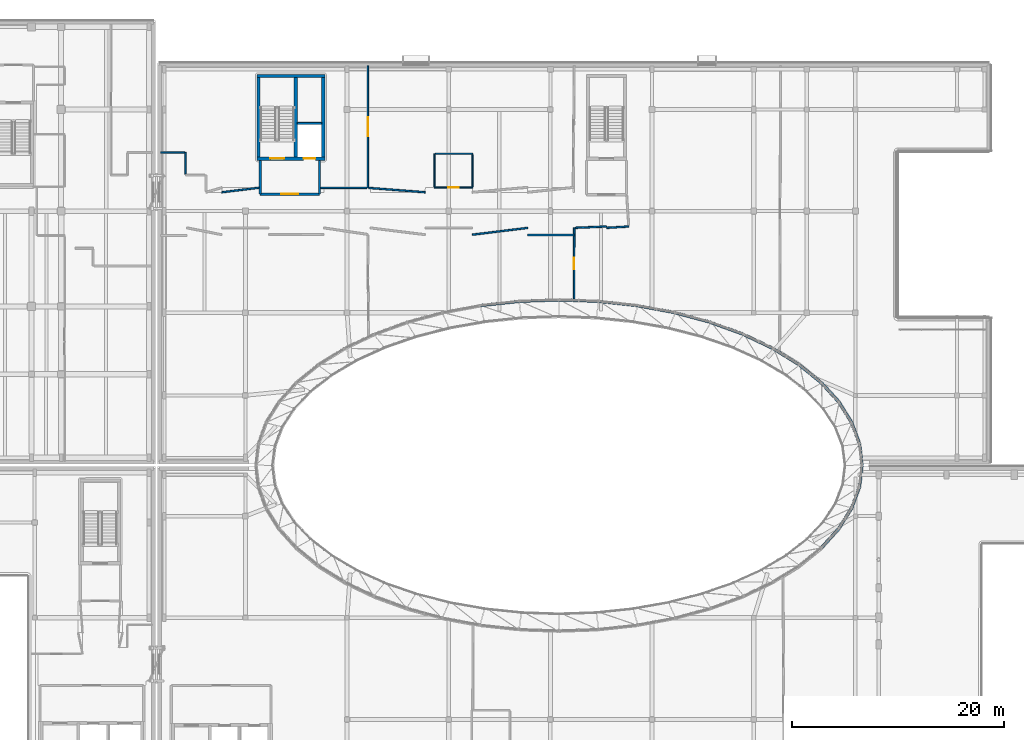
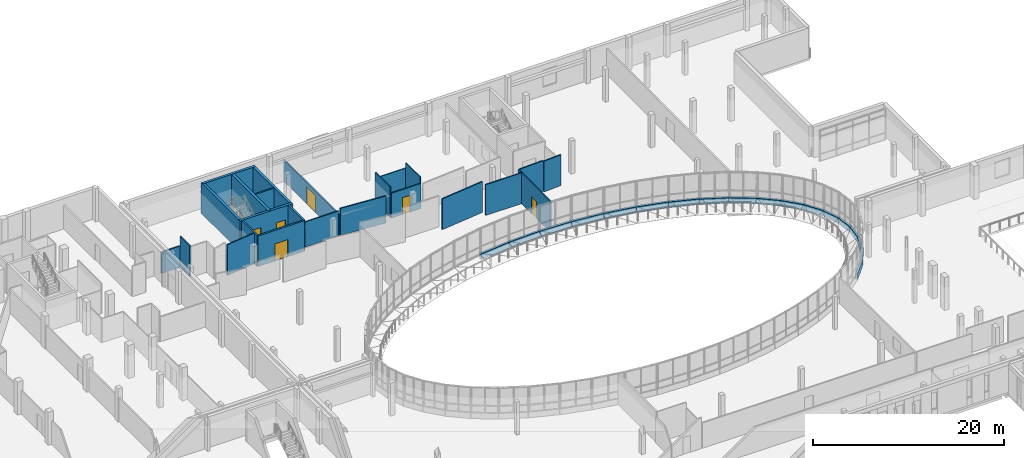
# One storey, part 52 of 84: 42 walls, 6 doors, 6 openings.
"""IFC4 building model written with IfcOpenShell, lengths in metres."""

from ifc_helpers import new_model, si_unit, direction, frame, frame_2d, origin, place, context, subcontext, project, spatial, rectangle, extrude, material, layer, layer_set, type_object, element, fill, save


model = new_model("IFC4")

# Units and contexts
model_context = context("Model", 3, precision=1e-05, world=origin(), true_north=direction((0.0, 1.0)))
body_context = subcontext(model_context, "Body", "Model", "MODEL_VIEW")
ifc_project = project(units=[si_unit("LENGTHUNIT", "METRE"), si_unit("AREAUNIT", "SQUARE_METRE"), si_unit("VOLUMEUNIT", "CUBIC_METRE"), si_unit("PLANEANGLEUNIT", "RADIAN"), si_unit("MASSUNIT", "GRAM", prefix="KILO")], contexts=[model_context])

# Site, building, storey
site_placement = place(None, origin())
site = spatial("IfcSite", under=ifc_project, at=site_placement, CompositionType="ELEMENT")
building_placement = place(site_placement, origin())
building = spatial("IfcBuilding", under=site, at=building_placement, Name="Mzevani Central Library", CompositionType="ELEMENT")
storey_placement = place(building_placement, frame((0.0, 0.0, 5.39990234375)))
storey = spatial("IfcBuildingStorey", under=building, at=storey_placement, Name="L01", CompositionType="ELEMENT", Elevation=5.39990234375)

# Wall
ifc_material_1 = material(Name="Concrete C35/45", Category="concrete")
ifc_layer_1 = layer(ifc_material_1, 0.199951171875, Name="Compartment Wall 200")
ifc_layer_set_1 = layer_set([ifc_layer_1], Name="Concrete C35/45")
wall_type_1 = type_object("IfcWallType", Name="Compartment Wall 200", PredefinedType="STANDARD", material=ifc_layer_set_1)
wall_1_placement = place(storey_placement, frame((55.800048828125, 104.800048828125, 0.0), z_axis=(0.0, 0.0, 1.0), x_axis=(0.0, -1.0, 0.0)))
element("IfcWall", 1, at=wall_1_placement, inside=storey, type_object=wall_type_1, Name="L01 Firefighting Stair and Lift Lobby C3A Enclosure Wall 1", PredefinedType="STANDARD", context=body_context, shape_type="SweptSolid", body=[
    extrude(rectangle(XDim=3.199951171875, YDim=0.199951171875, at=frame_2d((1.60009765625, 0.0))), origin(), (0.0, 0.0, 1.0), 3.920166015625),
])

# Wall, opening, door
wall_2_placement = place(storey_placement, frame((55.800048828125, 101.60009765625, 0.0), z_axis=(0.0, 0.0, 1.0), x_axis=(1.0, 0.0, 0.0)))
wall_2 = element("IfcWall", 2, at=wall_2_placement, inside=storey, type_object=wall_type_1, Name="L01 Firefighting Stair and Lift Lobby C3A Enclosure Wall 2", PredefinedType="STANDARD", context=body_context, shape_type="SweptSolid", body=[
    extrude(rectangle(XDim=5.599853515625, YDim=0.199951171875, at=frame_2d((2.7998046875, 0.0))), origin(), (0.0, 0.0, 1.0), 3.920166015625),
])
opening_1_placement = place(wall_2_placement, frame((2.0, 0.0, 0.0)))
opening_1 = element("IfcOpeningElement", 3, at=opening_1_placement, cuts=wall_2, Name="Opening FD-02", PredefinedType="OPENING", context=body_context, shape_type="SweptSolid", body=[
    extrude(rectangle(XDim=1.60009765625, YDim=2.199951171875, at=frame_2d((0.800048828125, 1.10009765625))), frame((0.0, 0.10986328125, 0.0), z_axis=(0.0, -1.0, 0.0), x_axis=(1.0, 0.0, 0.0)), (0.0, 0.0, 1.0), 0.219970703125),
])
ifc_material_2 = material(Name="Fire-rated steel door assembly", Category="steel")
door_type_1 = type_object("IfcDoorType", Name="Fire Lobby Double Door 1600x2200", OperationType="NOTDEFINED", PredefinedType="DOOR", material=ifc_material_2)
door_1_placement = place(opening_1_placement, origin())
door_1 = element("IfcDoor", 4, at=door_1_placement, inside=storey, type_object=door_type_1, Name="L01 Firefighting Stair and Lift Lobby C3A Smoke-Control Door", OperationType="DOUBLE_DOOR_SINGLE_SWING", OverallHeight=2.199951171875, OverallWidth=1.60009765625, PredefinedType="DOOR", context=body_context, shape_type="SweptSolid", body=[
    extrude(rectangle(XDim=1.60009765625, YDim=2.199951171875, at=frame_2d((0.800048828125, 1.10009765625))), frame((0.0, 0.02490234375, 0.0), z_axis=(0.0, -1.0, 0.0), x_axis=(1.0, 0.0, 0.0)), (0.0, 0.0, 1.0), 0.050048828125),
])
fill(opening_1, door_1)

# Wall
wall_3_placement = place(storey_placement, frame((61.39990234375, 101.60009765625, 0.0), z_axis=(0.0, 0.0, 1.0), x_axis=(0.0, 1.0, 0.0)))
element("IfcWall", 5, at=wall_3_placement, inside=storey, type_object=wall_type_1, Name="L01 Firefighting Stair and Lift Lobby C3A Enclosure Wall 3", PredefinedType="STANDARD", context=body_context, shape_type="SweptSolid", body=[
    extrude(rectangle(XDim=3.199951171875, YDim=0.199951171875, at=frame_2d((1.60009765625, 0.0))), origin(), (0.0, 0.0, 1.0), 3.920166015625),
])

# Wall, openings, doors
ifc_material_3 = material(Name="Concrete C40/50", Category="concrete")
ifc_layer_2 = layer(ifc_material_3, 0.300048828125, Name="Core Shear Wall 300")
ifc_layer_set_2 = layer_set([ifc_layer_2], Name="Concrete C40/50")
wall_type_2 = type_object("IfcWallType", Name="Core Shear Wall 300", PredefinedType="SHEAR", material=ifc_layer_set_2)
wall_4_placement = place(storey_placement, frame((61.89990234375, 104.949951171875, 0.0), z_axis=(0.0, 0.0, 1.0), x_axis=(-1.0, 0.0, 0.0)))
wall_4 = element("IfcWall", 6, at=wall_4_placement, inside=storey, type_object=wall_type_2, Name="L01 Core C3A North-East Firefighting Core Shear Wall (-y)", PredefinedType="SHEAR", context=body_context, shape_type="SweptSolid", body=[
    extrude(rectangle(XDim=6.39990234375, YDim=0.300048828125, at=frame_2d((3.199951171875, 0.0))), origin(), (0.0, 0.0, 1.0), 3.920166015625),
])
opening_2_placement = place(wall_4_placement, frame((3.85009765625, 0.0, 0.0)))
opening_2 = element("IfcOpeningElement", 7, at=opening_2_placement, cuts=wall_4, Name="Opening FD-01", PredefinedType="OPENING", context=body_context, shape_type="SweptSolid", body=[
    extrude(rectangle(XDim=1.300048828125, YDim=2.199951171875, at=frame_2d((0.64990234375, 1.10009765625))), frame((0.0, 0.16015625, 0.0), z_axis=(0.0, -1.0, 0.0), x_axis=(1.0, 0.0, 0.0)), (0.0, 0.0, 1.0), 0.320068359375),
])
opening_3_placement = place(wall_4_placement, frame((0.89990234375, 0.0, 0.0)))
opening_3 = element("IfcOpeningElement", 8, at=opening_3_placement, cuts=wall_4, Name="Opening LD-02", PredefinedType="OPENING", context=body_context, shape_type="SweptSolid", body=[
    extrude(rectangle(XDim=1.10009765625, YDim=2.14990234375, at=frame_2d((0.550048828125, 1.074951171875))), frame((0.0, 0.16015625, 0.0), z_axis=(0.0, -1.0, 0.0), x_axis=(1.0, 0.0, 0.0)), (0.0, 0.0, 1.0), 0.320068359375),
])
door_type_2 = type_object("IfcDoorType", Name="Fire Stair Door 1300x2200", OperationType="NOTDEFINED", PredefinedType="DOOR", material=ifc_material_2)
door_2_placement = place(opening_2_placement, origin())
door_2 = element("IfcDoor", 9, at=door_2_placement, inside=storey, type_object=door_type_2, Name="L01 ST-05 Protected Exit Stair Door", OperationType="SINGLE_SWING_RIGHT", OverallHeight=2.199951171875, OverallWidth=1.300048828125, PredefinedType="DOOR", context=body_context, shape_type="SweptSolid", body=[
    extrude(rectangle(XDim=1.300048828125, YDim=2.199951171875, at=frame_2d((0.64990234375, 1.10009765625))), frame((0.0, 0.02490234375, 0.0), z_axis=(0.0, -1.0, 0.0), x_axis=(1.0, 0.0, 0.0)), (0.0, 0.0, 1.0), 0.050048828125),
])
fill(opening_2, door_2)
ifc_material_4 = material(Name="Brushed stainless steel door", Category="steel")
door_type_3 = type_object("IfcDoorType", Name="Firefighting Lift Landing Door 1100x2150", OperationType="NOTDEFINED", PredefinedType="DOOR", material=ifc_material_4)
door_3_placement = place(opening_3_placement, origin())
door_3 = element("IfcDoor", 10, at=door_3_placement, inside=storey, type_object=door_type_3, Name="L01 Lift LF-FF2 Sliding Landing Door", OperationType="SLIDING_TO_LEFT", OverallHeight=2.14990234375, OverallWidth=1.10009765625, PredefinedType="DOOR", context=body_context, shape_type="SweptSolid", body=[
    extrude(rectangle(XDim=1.10009765625, YDim=2.14990234375, at=frame_2d((0.550048828125, 1.074951171875))), frame((0.0, 0.02490234375, 0.0), z_axis=(0.0, -1.0, 0.0), x_axis=(1.0, 0.0, 0.0)), (0.0, 0.0, 1.0), 0.050048828125),
])
fill(opening_3, door_3)

# Walls
wall_5_placement = place(storey_placement, frame((55.64990234375, 104.800048828125, 0.0), z_axis=(0.0, 0.0, 1.0), x_axis=(0.0, 1.0, 0.0)))
element("IfcWall", 11, at=wall_5_placement, inside=storey, type_object=wall_type_2, Name="L01 Core C3A North-East Firefighting Core Shear Wall (-x)", PredefinedType="SHEAR", context=body_context, shape_type="SweptSolid", body=[
    extrude(rectangle(XDim=8.099853515625, YDim=0.300048828125, at=frame_2d((4.0498046875, 0.0))), origin(), (0.0, 0.0, 1.0), 3.920166015625),
])
wall_6_placement = place(storey_placement, frame((55.5, 112.75, 0.0), z_axis=(0.0, 0.0, 1.0), x_axis=(1.0, 0.0, 0.0)))
element("IfcWall", 12, at=wall_6_placement, inside=storey, type_object=wall_type_2, Name="L01 Core C3A North-East Firefighting Core Shear Wall (+y)", PredefinedType="SHEAR", context=body_context, shape_type="SweptSolid", body=[
    extrude(rectangle(XDim=6.39990234375, YDim=0.300048828125, at=frame_2d((3.199951171875, 0.0))), origin(), (0.0, 0.0, 1.0), 3.920166015625),
])
wall_7_placement = place(storey_placement, frame((61.75, 112.89990234375, 0.0), z_axis=(0.0, 0.0, 1.0), x_axis=(0.0, -1.0, 0.0)))
element("IfcWall", 13, at=wall_7_placement, inside=storey, type_object=wall_type_2, Name="L01 Core C3A North-East Firefighting Core Shear Wall (+x)", PredefinedType="SHEAR", context=body_context, shape_type="SweptSolid", body=[
    extrude(rectangle(XDim=8.099853515625, YDim=0.300048828125, at=frame_2d((4.0498046875, 0.0))), origin(), (0.0, 0.0, 1.0), 3.920166015625),
])
wall_8_placement = place(storey_placement, frame((59.14990234375, 104.949951171875, 0.0), z_axis=(0.0, 0.0, 1.0), x_axis=(0.0, 1.0, 0.0)))
element("IfcWall", 14, at=wall_8_placement, inside=storey, type_object=wall_type_2, Name="L01 Core C3A North-East Firefighting Core Hoistway Shear Wall", PredefinedType="SHEAR", context=body_context, shape_type="SweptSolid", body=[
    extrude(rectangle(XDim=7.800048828125, YDim=0.300048828125, at=frame_2d((3.89990234375, 0.0))), origin(), (0.0, 0.0, 1.0), 3.920166015625),
])
ifc_material_5 = material(Name="Precast concrete C40/50", Category="concrete")
ifc_layer_3 = layer(ifc_material_5, 0.280029296875, Name="Court Spandrel Wall 280")
ifc_layer_set_3 = layer_set([ifc_layer_3], Name="Precast concrete C40/50")
wall_type_3 = type_object("IfcWallType", Name="Court Spandrel Wall 280", PredefinedType="STANDARD", material=ifc_layer_set_3)
wall_9_placement = place(storey_placement, frame((112.619873046875, 76.0078125, 0.0), z_axis=(0.0, 0.0, 1.0), x_axis=(-0.119881584564, 0.992788197796, 0.0)))
element("IfcWall", 15, at=wall_9_placement, inside=storey, type_object=wall_type_3, Name="L01 Elliptical Court Spandrel 1", PredefinedType="STANDARD", context=body_context, shape_type="SweptSolid", body=[
    extrude(rectangle(XDim=2.0263671875, YDim=0.280029296875, at=frame_2d((1.01318359375, 0.0))), origin(), (0.0, 0.0, 1.0), 0.72021484375),
])
wall_10_placement = place(storey_placement, frame((112.375732421875, 78.035400390625, 0.0), z_axis=(0.0, 0.0, 1.0), x_axis=(-0.344189928554, 0.938900044244, 0.0)))
element("IfcWall", 16, at=wall_10_placement, inside=storey, type_object=wall_type_3, Name="L01 Elliptical Court Spandrel 2", PredefinedType="STANDARD", context=body_context, shape_type="SweptSolid", body=[
    extrude(rectangle(XDim=2.10595703125, YDim=0.280029296875, at=frame_2d((1.052978515625, 0.0))), origin(), (0.0, 0.0, 1.0), 0.72021484375),
])
wall_11_placement = place(storey_placement, frame((111.648681640625, 80.02880859375, 0.0), z_axis=(0.0, 0.0, 1.0), x_axis=(-0.530271784497, 0.847827715144, 0.0)))
element("IfcWall", 17, at=wall_11_placement, inside=storey, type_object=wall_type_3, Name="L01 Elliptical Court Spandrel 3", PredefinedType="STANDARD", context=body_context, shape_type="SweptSolid", body=[
    extrude(rectangle(XDim=2.251953125, YDim=0.280029296875, at=frame_2d((1.1259765625, 0.0))), origin(), (0.0, 0.0, 1.0), 0.72021484375),
])
wall_12_placement = place(storey_placement, frame((110.45068359375, 81.954833984375, 0.0), z_axis=(0.0, 0.0, 1.0), x_axis=(-0.67252356476, 0.740075708858, 0.0)))
element("IfcWall", 18, at=wall_12_placement, inside=storey, type_object=wall_type_3, Name="L01 Elliptical Court Spandrel 4", PredefinedType="STANDARD", context=body_context, shape_type="SweptSolid", body=[
    extrude(rectangle(XDim=2.443115234375, YDim=0.280029296875, at=frame_2d((1.2216796875, 0.0))), origin(), (0.0, 0.0, 1.0), 0.72021484375),
])
wall_13_placement = place(storey_placement, frame((108.802001953125, 83.78125, 0.0), z_axis=(0.0, 0.0, 1.0), x_axis=(-0.776243179452, 0.63043360186, 0.0)))
element("IfcWall", 19, at=wall_13_placement, inside=storey, type_object=wall_type_3, Name="L01 Elliptical Court Spandrel 5", PredefinedType="STANDARD", context=body_context, shape_type="SweptSolid", body=[
    extrude(rectangle(XDim=2.658935546875, YDim=0.280029296875, at=frame_2d((1.32958984375, 0.0))), origin(), (0.0, 0.0, 1.0), 0.72021484375),
])
wall_14_placement = place(storey_placement, frame((106.72998046875, 85.47705078125, 0.0), z_axis=(0.0, 0.0, 1.0), x_axis=(-0.850375313237, 0.526176611639, 0.0)))
element("IfcWall", 20, at=wall_14_placement, inside=storey, type_object=wall_type_3, Name="L01 Elliptical Court Spandrel 6", PredefinedType="STANDARD", context=body_context, shape_type="SweptSolid", body=[
    extrude(rectangle(XDim=2.88037109375, YDim=0.280029296875, at=frame_2d((1.440185546875, 0.0))), origin(), (0.0, 0.0, 1.0), 0.72021484375),
])
wall_15_placement = place(storey_placement, frame((104.268798828125, 87.013916015625, 0.0), z_axis=(0.0, 0.0, 1.0), x_axis=(-0.902940744527, 0.429765065905, 0.0)))
element("IfcWall", 21, at=wall_15_placement, inside=storey, type_object=wall_type_3, Name="L01 Elliptical Court Spandrel 7", PredefinedType="STANDARD", context=body_context, shape_type="SweptSolid", body=[
    extrude(rectangle(XDim=3.09326171875, YDim=0.280029296875, at=frame_2d((1.546630859375, 0.0))), origin(), (0.0, 0.0, 1.0), 0.72021484375),
])
wall_16_placement = place(storey_placement, frame((101.459716796875, 88.3662109375, 0.0), z_axis=(0.0, 0.0, 1.0), x_axis=(-0.940120589317, 0.340842012583, 0.0)))
element("IfcWall", 22, at=wall_16_placement, inside=storey, type_object=wall_type_3, Name="L01 Elliptical Court Spandrel 8", PredefinedType="STANDARD", context=body_context, shape_type="SweptSolid", body=[
    extrude(rectangle(XDim=3.28564453125, YDim=0.280029296875, at=frame_2d((1.642822265625, 0.0))), origin(), (0.0, 0.0, 1.0), 0.72021484375),
])
wall_17_placement = place(storey_placement, frame((98.347900390625, 89.51025390625, 0.0), z_axis=(0.0, 0.0, 1.0), x_axis=(-0.966008995784, 0.258508452598, 0.0)))
element("IfcWall", 23, at=wall_17_placement, inside=storey, type_object=wall_type_3, Name="L01 Elliptical Court Spandrel 9", PredefinedType="STANDARD", context=body_context, shape_type="SweptSolid", body=[
    extrude(rectangle(XDim=3.448974609375, YDim=0.280029296875, at=frame_2d((1.724609375, 0.0))), origin(), (0.0, 0.0, 1.0), 0.72021484375),
])
wall_18_placement = place(storey_placement, frame((94.98486328125, 90.425537109375, 0.0), z_axis=(0.0, 0.0, 1.0), x_axis=(-0.983444547385, 0.181209332591, 0.0)))
element("IfcWall", 24, at=wall_18_placement, inside=storey, type_object=wall_type_3, Name="L01 Elliptical Court Spandrel 10", PredefinedType="STANDARD", context=body_context, shape_type="SweptSolid", body=[
    extrude(rectangle(XDim=3.5771484375, YDim=0.280029296875, at=frame_2d((1.78857421875, 0.0))), origin(), (0.0, 0.0, 1.0), 0.72021484375),
])
wall_19_placement = place(storey_placement, frame((91.42626953125, 91.09375, 0.0), z_axis=(0.0, 0.0, 1.0), x_axis=(-0.994224158715, 0.107323446776, 0.0)))
element("IfcWall", 25, at=wall_19_placement, inside=storey, type_object=wall_type_3, Name="L01 Elliptical Court Spandrel 11", PredefinedType="STANDARD", context=body_context, shape_type="SweptSolid", body=[
    extrude(rectangle(XDim=3.664794921875, YDim=0.280029296875, at=frame_2d((1.83251953125, 0.0))), origin(), (0.0, 0.0, 1.0), 0.72021484375),
])
for number, where, z_axis, x_axis, name in (
    (26, (87.7333984375, 91.498779296875, 0.0), (0.0, 0.0, 1.0), (-0.999368209041, 0.035541282461, 0.0), "L01 Elliptical Court Spandrel 12"),
    (27, (83.9736328125, 91.630615234375, 0.0), (0.0, 0.0, 1.0), (-0.999368209041, -0.035541282461, 0.0), "L01 Elliptical Court Spandrel 13"),
):
    element("IfcWall", number, at=place(storey_placement, frame(where, z_axis=z_axis, x_axis=x_axis)), inside=storey, type_object=wall_type_3, Name=name, PredefinedType="STANDARD", context=body_context, shape_type="SweptSolid", body=[
        extrude(rectangle(XDim=3.70947265625, YDim=0.280029296875, at=frame_2d((1.854736328125, 0.0))), origin(), (0.0, 0.0, 1.0), 0.72021484375),
    ])
wall_20_placement = place(storey_placement, frame((80.21728515625, 91.487060546875, 0.0), z_axis=(0.0, 0.0, 1.0), x_axis=(-0.994224158715, -0.107323446776, 0.0)))
element("IfcWall", 28, at=wall_20_placement, inside=storey, type_object=wall_type_3, Name="L01 Elliptical Court Spandrel 14", PredefinedType="STANDARD", context=body_context, shape_type="SweptSolid", body=[
    extrude(rectangle(XDim=3.664794921875, YDim=0.280029296875, at=frame_2d((1.83251953125, 0.0))), origin(), (0.0, 0.0, 1.0), 0.72021484375),
])
wall_21_placement = place(storey_placement, frame((108.8076171875, 68.237060546875, 0.0), z_axis=(0.0, 0.0, 1.0), x_axis=(0.67252356476, 0.740075708858, 0.0)))
element("IfcWall", 29, at=wall_21_placement, inside=storey, type_object=wall_type_3, Name="L01 Elliptical Court Spandrel 45", PredefinedType="STANDARD", context=body_context, shape_type="SweptSolid", body=[
    extrude(rectangle(XDim=2.443115234375, YDim=0.280029296875, at=frame_2d((1.2216796875, 0.0))), origin(), (0.0, 0.0, 1.0), 0.72021484375),
])
wall_22_placement = place(storey_placement, frame((110.45458984375, 70.06201171875, 0.0), z_axis=(0.0, 0.0, 1.0), x_axis=(0.530271784497, 0.847827715144, 0.0)))
element("IfcWall", 30, at=wall_22_placement, inside=storey, type_object=wall_type_3, Name="L01 Elliptical Court Spandrel 46", PredefinedType="STANDARD", context=body_context, shape_type="SweptSolid", body=[
    extrude(rectangle(XDim=2.251953125, YDim=0.280029296875, at=frame_2d((1.1259765625, 0.0))), origin(), (0.0, 0.0, 1.0), 0.72021484375),
])
wall_23_placement = place(storey_placement, frame((111.65087890625, 71.9873046875, 0.0), z_axis=(0.0, 0.0, 1.0), x_axis=(0.344189928554, 0.938900044244, 0.0)))
element("IfcWall", 31, at=wall_23_placement, inside=storey, type_object=wall_type_3, Name="L01 Elliptical Court Spandrel 47", PredefinedType="STANDARD", context=body_context, shape_type="SweptSolid", body=[
    extrude(rectangle(XDim=2.10595703125, YDim=0.280029296875, at=frame_2d((1.052978515625, 0.0))), origin(), (0.0, 0.0, 1.0), 0.72021484375),
])
wall_24_placement = place(storey_placement, frame((112.376953125, 73.98046875, 0.0), z_axis=(0.0, 0.0, 1.0), x_axis=(0.119881584564, 0.992788197796, 0.0)))
element("IfcWall", 32, at=wall_24_placement, inside=storey, type_object=wall_type_3, Name="L01 Elliptical Court Spandrel 48", PredefinedType="STANDARD", context=body_context, shape_type="SweptSolid", body=[
    extrude(rectangle(XDim=2.0263671875, YDim=0.280029296875, at=frame_2d((1.01318359375, 0.0))), origin(), (0.0, 0.0, 1.0), 0.72021484375),
])

# Wall, opening, door
ifc_material_6 = material(Name="Fire-rated gypsum board", Category="gypsum")
ifc_layer_4 = layer(ifc_material_6, 0.1201171875, Name="Partition Acoustic 120")
ifc_layer_set_4 = layer_set([ifc_layer_4], Name="Fire-rated gypsum board")
wall_type_4 = type_object("IfcWallType", Name="Partition Acoustic 120", PredefinedType="PARTITIONING", material=ifc_layer_set_4)
wall_25_placement = place(storey_placement, frame((75.85009765625, 102.22509765625, 0.0), z_axis=(0.0, 0.0, 1.0), x_axis=(-1.0, 0.0, 0.0)))
wall_25 = element("IfcWall", 33, at=wall_25_placement, inside=storey, type_object=wall_type_4, Name="L01 V3 Partition IW-02 (257)", PredefinedType="PARTITIONING", context=body_context, shape_type="SweptSolid", body=[
    extrude(rectangle(XDim=3.60009765625, YDim=0.1201171875, at=frame_2d((1.800048828125, 0.0))), origin(), (0.0, 0.0, 1.0), 3.2001953125),
])
opening_4_placement = place(wall_25_placement, frame((1.324951171875, 0.0, 0.0)))
opening_4 = element("IfcOpeningElement", 34, at=opening_4_placement, cuts=wall_25, Name="Opening ID-02", PredefinedType="OPENING", context=body_context, shape_type="SweptSolid", body=[
    extrude(rectangle(XDim=0.949951171875, YDim=2.14990234375, at=frame_2d((0.47509765625, 1.074951171875))), frame((0.0, 0.070068359375, 0.0), z_axis=(0.0, -1.0, 0.0), x_axis=(1.0, 0.0, 0.0)), (0.0, 0.0, 1.0), 0.14013671875),
])
ifc_material_7 = material(Name="Fire-rated solid oak leaf")
door_type_4 = type_object("IfcDoorType", Name="Accessible WC Door 950x2150", OperationType="NOTDEFINED", PredefinedType="DOOR", material=ifc_material_7)
door_4_placement = place(opening_4_placement, origin())
door_4 = element("IfcDoor", 35, at=door_4_placement, inside=storey, type_object=door_type_4, Name="L01 Accessible WC and Public Toilet V3 Door", OperationType="SINGLE_SWING_RIGHT", OverallHeight=2.14990234375, OverallWidth=0.949951171875, PredefinedType="DOOR", context=body_context, shape_type="SweptSolid", body=[
    extrude(rectangle(XDim=0.949951171875, YDim=2.14990234375, at=frame_2d((0.47509765625, 1.074951171875))), frame((0.0, 0.02490234375, 0.0), z_axis=(0.0, -1.0, 0.0), x_axis=(1.0, 0.0, 0.0)), (0.0, 0.0, 1.0), 0.050048828125),
])
fill(opening_4, door_4)

# Walls
wall_26_placement = place(storey_placement, frame((72.25, 102.324951171875, 0.0), z_axis=(0.0, 0.0, 1.0), x_axis=(0.0, 1.0, 0.0)))
element("IfcWall", 36, at=wall_26_placement, inside=storey, type_object=wall_type_4, Name="L01 V3 Partition IW-02 (258)", PredefinedType="PARTITIONING", context=body_context, shape_type="SweptSolid", body=[
    extrude(rectangle(XDim=3.10009765625, YDim=0.1201171875, at=frame_2d((1.550048828125, 0.0))), origin(), (0.0, 0.0, 1.0), 3.920166015625),
])
wall_27_placement = place(storey_placement, frame((72.35009765625, 105.425048828125, 0.0), z_axis=(0.0, 0.0, 1.0), x_axis=(1.0, 0.0, 0.0)))
element("IfcWall", 37, at=wall_27_placement, inside=storey, type_object=wall_type_4, Name="L01 V3 Partition IW-02 (259)", PredefinedType="PARTITIONING", context=body_context, shape_type="SweptSolid", body=[
    extrude(rectangle(XDim=3.5, YDim=0.1201171875, at=frame_2d((1.75, 0.0))), origin(), (0.0, 0.0, 1.0), 3.2001953125),
])
wall_28_placement = place(storey_placement, frame((75.85009765625, 105.324951171875, 0.0), z_axis=(0.0, 0.0, 1.0), x_axis=(0.0, -1.0, 0.0)))
element("IfcWall", 38, at=wall_28_placement, inside=storey, type_object=wall_type_4, Name="L01 V3 Partition IW-02 (260)", PredefinedType="PARTITIONING", context=body_context, shape_type="SweptSolid", body=[
    extrude(rectangle(XDim=3.0, YDim=0.1201171875, at=frame_2d((1.5, 0.0))), origin(), (0.0, 0.0, 1.0), 3.920166015625),
])
ifc_layer_5 = layer(ifc_material_6, 0.14990234375, Name="Partition Study 150")
ifc_layer_set_5 = layer_set([ifc_layer_5], Name="Fire-rated gypsum board")
wall_type_5 = type_object("IfcWallType", Name="Partition Study 150", PredefinedType="PARTITIONING", material=ifc_layer_set_5)
wall_29_placement = place(storey_placement, frame((55.70068359375, 102.212890625, 0.0), z_axis=(0.0, 0.0, 1.0), x_axis=(-0.992547247725, -0.121860416191, 0.0)))
element("IfcWall", 39, at=wall_29_placement, inside=storey, type_object=wall_type_5, Name="L01 V3 Partition IW-03 (267)", PredefinedType="PARTITIONING", context=body_context, shape_type="SweptSolid", body=[
    extrude(rectangle(XDim=3.552001953125, YDim=0.14990234375, at=frame_2d((1.77587890625, 0.0))), origin(), (0.0, 0.0, 1.0), 3.920166015625),
])
wall_30_placement = place(storey_placement, frame((48.75, 103.5, 0.0), z_axis=(0.0, 0.0, 1.0), x_axis=(0.0, 1.0, 0.0)))
element("IfcWall", 40, at=wall_30_placement, inside=storey, type_object=wall_type_5, Name="L01 V3 Partition IW-03 (271)", PredefinedType="PARTITIONING", context=body_context, shape_type="SweptSolid", body=[
    extrude(rectangle(XDim=2.050048828125, YDim=0.14990234375, at=frame_2d((1.02490234375, 0.0))), origin(), (0.0, 0.0, 1.0), 3.920166015625),
])
wall_31_placement = place(storey_placement, frame((48.64990234375, 105.550048828125, 0.0), z_axis=(0.0, 0.0, 1.0), x_axis=(-1.0, 0.0, 0.0)))
element("IfcWall", 41, at=wall_31_placement, inside=storey, type_object=wall_type_5, Name="L01 V3 Partition IW-03 (272)", PredefinedType="PARTITIONING", context=body_context, shape_type="SweptSolid", body=[
    extrude(rectangle(XDim=2.260009765625, YDim=0.14990234375, at=frame_2d((1.1298828125, 0.0))), origin(), (0.0, 0.0, 1.0), 2.715087890625),
])

# Wall, opening, door
wall_32_placement = place(storey_placement, frame((65.965087890625, 113.7099609375, 0.0), z_axis=(0.0, 0.0, 1.0), x_axis=(0.0, -1.0, 0.0)))
wall_32 = element("IfcWall", 42, at=wall_32_placement, inside=storey, type_object=wall_type_5, Name="L01 V3 Partition IW-03 (273)", PredefinedType="PARTITIONING", context=body_context, shape_type="SweptSolid", body=[
    extrude(rectangle(XDim=11.510009765625, YDim=0.14990234375, at=frame_2d((5.7548828125, 0.0))), origin(), (0.0, 0.0, 1.0), 2.715087890625),
])
opening_5_placement = place(wall_32_placement, frame((4.85498046875, 0.0, 0.0)))
opening_5 = element("IfcOpeningElement", 43, at=opening_5_placement, cuts=wall_32, Name="Opening FD-06", PredefinedType="OPENING", context=body_context, shape_type="SweptSolid", body=[
    extrude(rectangle(XDim=1.800048828125, YDim=2.199951171875, at=frame_2d((0.89990234375, 1.10009765625))), frame((0.0, 0.0849609375, 0.0), z_axis=(0.0, -1.0, 0.0), x_axis=(1.0, 0.0, 0.0)), (0.0, 0.0, 1.0), 0.169921875),
])
door_type_5 = type_object("IfcDoorType", Name="Fire Corridor Double Door 1800x2200", OperationType="NOTDEFINED", PredefinedType="DOOR", material=ifc_material_2)
door_5_placement = place(opening_5_placement, origin())
door_5 = element("IfcDoor", 44, at=door_5_placement, inside=storey, type_object=door_type_5, Name="L01 Terraced Court Reading Balcony Door", OperationType="DOUBLE_DOOR_SINGLE_SWING", OverallHeight=2.199951171875, OverallWidth=1.800048828125, PredefinedType="DOOR", context=body_context, shape_type="SweptSolid", body=[
    extrude(rectangle(XDim=1.800048828125, YDim=2.199951171875, at=frame_2d((0.89990234375, 1.10009765625))), frame((0.0, 0.02490234375, 0.0), z_axis=(0.0, -1.0, 0.0), x_axis=(1.0, 0.0, 0.0)), (0.0, 0.0, 1.0), 0.050048828125),
])
fill(opening_5, door_5)

# Walls
wall_33_placement = place(storey_placement, frame((65.864990234375, 102.199951171875, 0.0), z_axis=(0.0, 0.0, 1.0), x_axis=(-1.0, 0.0, 0.0)))
element("IfcWall", 45, at=wall_33_placement, inside=storey, type_object=wall_type_5, Name="L01 V3 Partition IW-03 (274)", PredefinedType="PARTITIONING", context=body_context, shape_type="SweptSolid", body=[
    extrude(rectangle(XDim=4.364990234375, YDim=0.14990234375, at=frame_2d((2.1826171875, 0.0))), origin(), (0.0, 0.0, 1.0), 3.2001953125),
])
wall_34_placement = place(storey_placement, frame((71.375, 101.780029296875, 0.0), z_axis=(0.0, 0.0, 1.0), x_axis=(-0.996998680489, 0.077418544956, 0.0)))
element("IfcWall", 46, at=wall_34_placement, inside=storey, type_object=wall_type_5, Name="L01 V3 Partition IW-03 (277)", PredefinedType="PARTITIONING", context=body_context, shape_type="SweptSolid", body=[
    extrude(rectangle(XDim=5.326171875, YDim=0.14990234375, at=frame_2d((2.6630859375, 0.0))), origin(), (0.0, 0.0, 1.0), 3.4501953125),
])
wall_35_placement = place(storey_placement, frame((75.824951171875, 97.77490234375, 0.0), z_axis=(0.0, 0.0, 1.0), x_axis=(0.992466486295, 0.12251642168, 0.0)))
element("IfcWall", 47, at=wall_35_placement, inside=storey, type_object=wall_type_5, Name="L01 V3 Partition IW-03 (281)", PredefinedType="PARTITIONING", context=body_context, shape_type="SweptSolid", body=[
    extrude(rectangle(XDim=5.2646484375, YDim=0.14990234375, at=frame_2d((2.63232421875, 0.0))), origin(), (0.0, 0.0, 1.0), 3.920166015625),
])
wall_36_placement = place(storey_placement, frame((81.050048828125, 97.75, 0.0), z_axis=(0.0, 0.0, 1.0), x_axis=(1.0, 0.0, 0.0)))
element("IfcWall", 48, at=wall_36_placement, inside=storey, type_object=wall_type_5, Name="L01 V3 Partition IW-03 (282)", PredefinedType="PARTITIONING", context=body_context, shape_type="SweptSolid", body=[
    extrude(rectangle(XDim=4.3994140625, YDim=0.14990234375, at=frame_2d((2.19970703125, 0.0))), origin(), (0.0, 0.0, 1.0), 3.920166015625),
])

# Wall, opening, door
wall_37_placement = place(storey_placement, frame((85.449951171875, 98.419921875, 0.0), z_axis=(0.0, 0.0, 1.0), x_axis=(-0.000833272662, -0.999999652828, 0.0)))
wall_37 = element("IfcWall", 49, at=wall_37_placement, inside=storey, type_object=wall_type_5, Name="L01 V3 Partition IW-03 (283)", PredefinedType="PARTITIONING", context=body_context, shape_type="SweptSolid", body=[
    extrude(rectangle(XDim=6.73876953125, YDim=0.14990234375, at=frame_2d((3.369384765625, 0.0))), origin(), (0.0, 0.0, 1.0), 3.920166015625),
])
opening_6_placement = place(wall_37_placement, frame((2.819580078125, 0.0, 0.0)))
opening_6 = element("IfcOpeningElement", 50, at=opening_6_placement, cuts=wall_37, Name="Opening FD-04", PredefinedType="OPENING", context=body_context, shape_type="SweptSolid", body=[
    extrude(rectangle(XDim=1.10009765625, YDim=2.14990234375, at=frame_2d((0.550048828125, 1.074951171875))), frame((0.0, 0.0849609375, 0.0), z_axis=(0.0, -1.0, 0.0), x_axis=(1.0, 0.0, 0.0)), (0.0, 0.0, 1.0), 0.169921875),
])
door_type_6 = type_object("IfcDoorType", Name="Fire Compartment Door 1100x2150", OperationType="NOTDEFINED", PredefinedType="DOOR", material=ifc_material_2)
door_6_placement = place(opening_6_placement, origin())
door_6 = element("IfcDoor", 51, at=door_6_placement, inside=storey, type_object=door_type_6, Name="L01 Literature and History Open Stacks 2 Door", OperationType="SINGLE_SWING_RIGHT", OverallHeight=2.14990234375, OverallWidth=1.10009765625, PredefinedType="DOOR", context=body_context, shape_type="SweptSolid", body=[
    extrude(rectangle(XDim=1.10009765625, YDim=2.14990234375, at=frame_2d((0.550048828125, 1.074951171875))), frame((0.0, 0.02490234375, 0.0), z_axis=(0.0, -1.0, 0.0), x_axis=(1.0, 0.0, 0.0)), (0.0, 0.0, 1.0), 0.050048828125),
])
fill(opening_6, door_6)

# Walls
wall_38_placement = place(storey_placement, frame((85.5498046875, 98.42431640625, 0.0), z_axis=(0.0, 0.0, 1.0), x_axis=(0.999093073886, 0.042579686615, 0.0)))
element("IfcWall", 52, at=wall_38_placement, inside=storey, type_object=wall_type_5, Name="L01 V3 Partition IW-03 (284)", PredefinedType="PARTITIONING", context=body_context, shape_type="SweptSolid", body=[
    extrude(rectangle(XDim=2.952880859375, YDim=0.14990234375, at=frame_2d((1.4765625, 0.0))), origin(), (0.0, 0.0, 1.0), 3.920166015625),
])
wall_39_placement = place(storey_placement, frame((88.5, 98.419921875, 0.0), z_axis=(0.0, 0.0, 1.0), x_axis=(0.998085844608, 0.061843728804, 0.0)))
element("IfcWall", 53, at=wall_39_placement, inside=storey, type_object=wall_type_5, Name="L01 V3 Partition IW-03 (285)", PredefinedType="PARTITIONING", context=body_context, shape_type="SweptSolid", body=[
    extrude(rectangle(XDim=2.10400390625, YDim=0.14990234375, at=frame_2d((1.052001953125, 0.0))), origin(), (0.0, 0.0, 1.0), 3.920166015625),
])
ifc_material_8 = material(Name="Concrete blockwork masonry", Category="masonry")
ifc_layer_6 = layer(ifc_material_8, 0.179931640625, Name="Shaft Enclosure Wall 180")
ifc_layer_set_6 = layer_set([ifc_layer_6], Name="Concrete blockwork masonry")
wall_type_6 = type_object("IfcWallType", Name="Shaft Enclosure Wall 180", PredefinedType="PARTITIONING", material=ifc_layer_set_6)
wall_40_placement = place(storey_placement, frame((59.300048828125, 108.2900390625, 0.0), z_axis=(0.0, 0.0, 1.0), x_axis=(1.0, 0.0, 0.0)))
element("IfcWall", 54, at=wall_40_placement, inside=storey, type_object=wall_type_6, Name="L01 Lift LF-FF2 Hoistway Enclosure Wall", PredefinedType="PARTITIONING", context=body_context, shape_type="SweptSolid", body=[
    extrude(rectangle(XDim=2.300048828125, YDim=0.179931640625, at=frame_2d((1.14990234375, 0.0))), origin(), (0.0, 0.0, 1.0), 3.920166015625),
])

save(model, "model.ifc")
